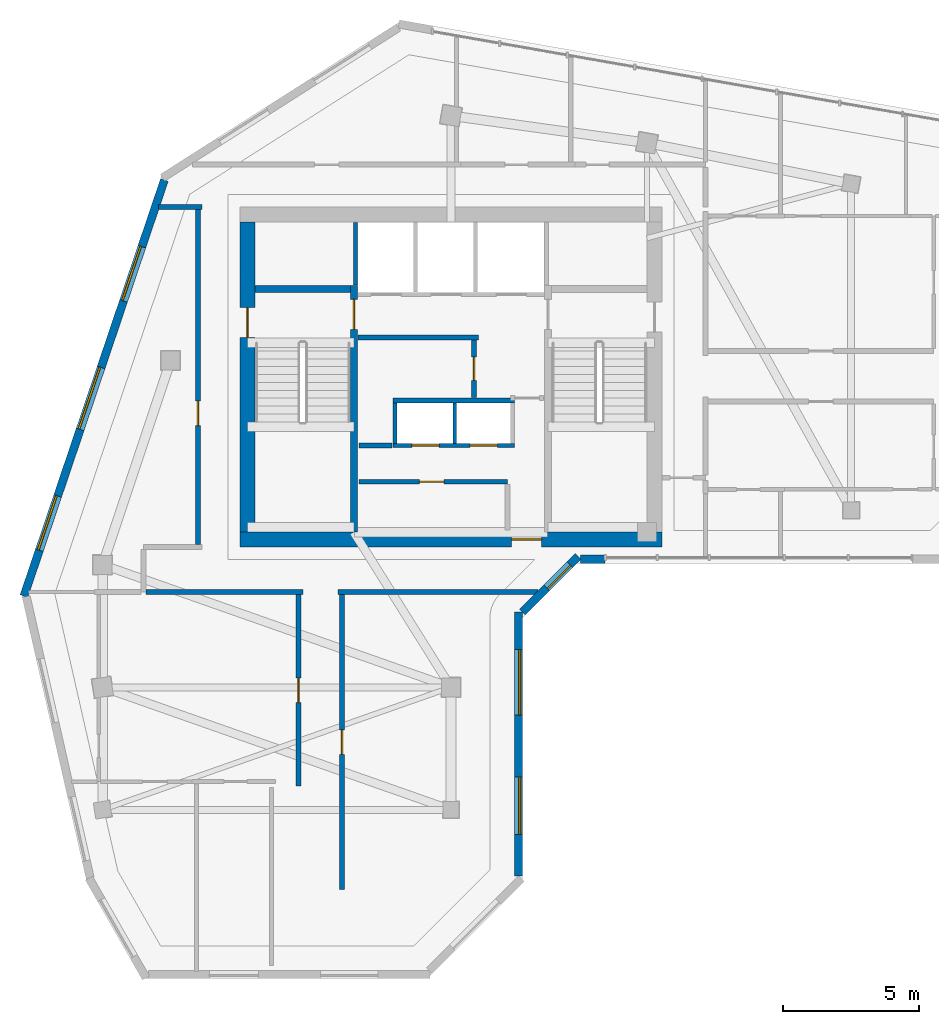
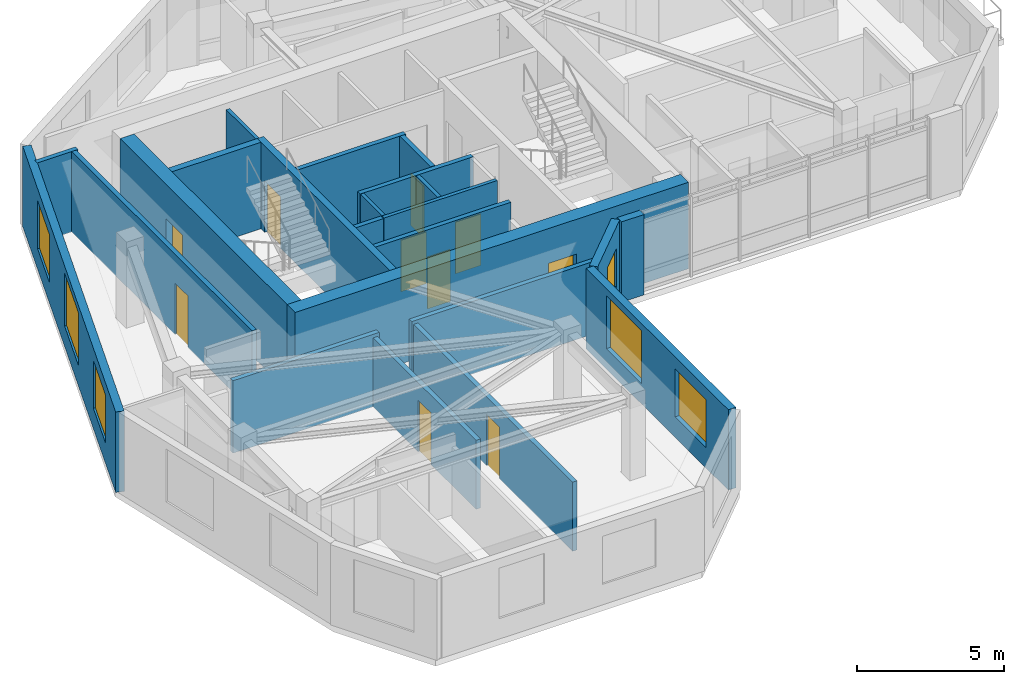
# One storey, part 4 of 9: 23 walls, 10 doors, 6 windows, 16 openings.
"""IFC4 building model written with IfcOpenShell, lengths in metres."""

from ifc_helpers import new_model, si_unit, direction, frame, frame_2d, origin, place, context, subcontext, project, spatial, rectangle, extrude, source, transform, mapped, material, layer, layer_set, type_object, element, fill, save


model = new_model("IFC4")

# Units and contexts
model_context = context("Model", 3, precision=1e-05, world=origin(), true_north=direction((0.0, 1.0)))
body_context = subcontext(model_context, "Body", "Model", "MODEL_VIEW")
ifc_project = project(units=[si_unit("LENGTHUNIT", "METRE"), si_unit("AREAUNIT", "SQUARE_METRE"), si_unit("VOLUMEUNIT", "CUBIC_METRE"), si_unit("PLANEANGLEUNIT", "RADIAN"), si_unit("MASSUNIT", "GRAM", prefix="KILO")], contexts=[model_context])

# Site, building, storey
site_placement = place(None, origin())
site = spatial("IfcSite", under=ifc_project, at=site_placement, CompositionType="ELEMENT")
building_placement = place(site_placement, origin())
building = spatial("IfcBuilding", under=site, at=building_placement, Name="Calvemar Wedge Station Tower", CompositionType="ELEMENT")
storey_placement = place(building_placement, frame((0.0, 0.0, 263.699951171875)))
storey = spatial("IfcBuildingStorey", under=building, at=storey_placement, Name="L67", CompositionType="ELEMENT", Elevation=263.699951171875)

# Wall, opening, door
ifc_material_1 = material(Name="Concrete C50", Category="concrete")
ifc_layer_1 = layer(ifc_material_1, 0.260009765625)
ifc_layer_set_1 = layer_set([ifc_layer_1], Name="Concrete C50")
wall_type_1 = type_object("IfcWallType", Name="SW-CORE-260", PredefinedType="SHEAR", material=ifc_layer_set_1)
wall_1_placement = place(storey_placement, frame((20.22998046875, 34.199951171875, 0.0), z_axis=(0.0, 0.0, 1.0), x_axis=(0.0, 1.0, 0.0)))
wall_1 = element("IfcWall", 1, at=wall_1_placement, inside=storey, type_object=wall_type_1, Name="Storey L67 Core Shear Wall SPINE-W", PredefinedType="SHEAR", context=body_context, shape_type="SweptSolid", body=[
    extrude(rectangle(XDim=9.06005859375, YDim=0.260009765625, at=frame_2d((4.530029296875, 0.0))), origin(), (0.0, 0.0, 1.0), 3.60009765625),
])
shared_shape_1 = source(origin(), body_context, "Body", "SweptSolid", [
    extrude(rectangle(XDim=1.10009765625, YDim=2.14990234375, at=frame_2d((0.550048828125, 1.074951171875))), frame((0.0, 0.14013671875, 0.0), z_axis=(0.0, -1.0, 0.0), x_axis=(1.0, 0.0, 0.0)), (0.0, 0.0, 1.0), 0.280029296875),
])
opening_1_placement = place(wall_1_placement, frame((7.449951171875, 0.0, 0.0)))
opening_1 = element("IfcOpeningElement", 2, at=opening_1_placement, cuts=wall_1, Name="Opening FD-90", PredefinedType="OPENING", context=body_context, shape_type="MappedRepresentation", body=[
    mapped(shared_shape_1, transform((0.0, 0.0, 0.0), scale=1.0)),
])
ifc_material_2 = material(Name="Galvanized fire-rated steel door leaf P-90", Category="steel")
door_type_1 = type_object("IfcDoorType", Name="DR-FD90-1100", OperationType="NOTDEFINED", PredefinedType="DOOR", material=ifc_material_2)
shared_shape_2 = source(origin(), body_context, "Body", "SweptSolid", [
    extrude(rectangle(XDim=1.10009765625, YDim=2.14990234375, at=frame_2d((0.550048828125, 1.074951171875))), frame((0.0, 0.02490234375, 0.0), z_axis=(0.0, -1.0, 0.0), x_axis=(1.0, 0.0, 0.0)), (0.0, 0.0, 1.0), 0.050048828125),
])
door_1_placement = place(opening_1_placement, origin())
door_1 = element("IfcDoor", 3, at=door_1_placement, inside=storey, type_object=door_type_1, Name="L67 FF Lobby to Stair ST-C1 Door", OperationType="SINGLE_SWING_RIGHT", OverallHeight=2.14990234375, OverallWidth=1.10009765625, PredefinedType="DOOR", context=body_context, shape_type="MappedRepresentation", body=[
    mapped(shared_shape_2, transform((0.0, 0.0, 0.0), scale=1.0)),
])
fill(opening_1, door_1)

# Wall
wall_2_placement = place(storey_placement, frame((16.60009765625, 43.1298828125, 0.0), z_axis=(0.0, 0.0, 1.0), x_axis=(1.0, 0.0, 0.0)))
element("IfcWall", 4, at=wall_2_placement, inside=storey, type_object=wall_type_1, Name="Storey L67 Core Shear Wall STC1-N", PredefinedType="SHEAR", context=body_context, shape_type="SweptSolid", body=[
    extrude(rectangle(XDim=3.5, YDim=0.260009765625, at=frame_2d((1.75, 0.0))), origin(), (0.0, 0.0, 1.0), 3.60009765625),
])

# Wall, opening, door
ifc_material_3 = material(Name="Concrete C60", Category="concrete")
ifc_layer_2 = layer(ifc_material_3, 0.550048828125)
ifc_layer_set_2 = layer_set([ifc_layer_2], Name="Concrete C60")
wall_type_2 = type_object("IfcWallType", Name="SW-CORE-550", PredefinedType="SHEAR", material=ifc_layer_set_2)
wall_3_placement = place(storey_placement, frame((16.050048828125, 33.925048828125, 0.0), z_axis=(0.0, 0.0, 1.0), x_axis=(1.0, 0.0, 0.0)))
wall_3 = element("IfcWall", 5, at=wall_3_placement, inside=storey, type_object=wall_type_2, Name="Storey L67 Core Shear Wall S", PredefinedType="SHEAR", context=body_context, shape_type="SweptSolid", body=[
    extrude(rectangle(XDim=15.5, YDim=0.550048828125, at=frame_2d((7.75, 0.0))), origin(), (0.0, 0.0, 1.0), 3.60009765625),
])
shared_shape_3 = source(origin(), body_context, "Body", "SweptSolid", [
    extrude(rectangle(XDim=1.10009765625, YDim=2.14990234375, at=frame_2d((0.550048828125, 1.074951171875))), frame((0.0, 0.28515625, 0.0), z_axis=(0.0, -1.0, 0.0), x_axis=(1.0, 0.0, 0.0)), (0.0, 0.0, 1.0), 0.570068359375),
])
opening_2_placement = place(wall_3_placement, frame((9.97998046875, 0.0, 0.0)))
opening_2 = element("IfcOpeningElement", 6, at=opening_2_placement, cuts=wall_3, Name="Opening FD-90", PredefinedType="OPENING", context=body_context, shape_type="MappedRepresentation", body=[
    mapped(shared_shape_3, transform((0.0, 0.0, 0.0), scale=1.0)),
])
door_2_placement = place(opening_2_placement, origin())
door_2 = element("IfcDoor", 7, at=door_2_placement, inside=storey, type_object=door_type_1, Name="L67 Passenger Lift Lobby Door", OperationType="SINGLE_SWING_RIGHT", OverallHeight=2.14990234375, OverallWidth=1.10009765625, PredefinedType="DOOR", context=body_context, shape_type="MappedRepresentation", body=[
    mapped(shared_shape_2, transform((0.0, 0.0, 0.0), scale=1.0)),
])
fill(opening_2, door_2)

wall_4_placement = place(storey_placement, frame((16.324951171875, 34.199951171875, 0.0), z_axis=(0.0, 0.0, 1.0), x_axis=(0.0, 1.0, 0.0)))
wall_4 = element("IfcWall", 8, at=wall_4_placement, inside=storey, type_object=wall_type_2, Name="Storey L67 Core Shear Wall W", PredefinedType="SHEAR", context=body_context, shape_type="SweptSolid", body=[
    extrude(rectangle(XDim=11.400146484375, YDim=0.550048828125, at=frame_2d((5.7001953125, 0.0))), origin(), (0.0, 0.0, 1.0), 3.60009765625),
])
opening_3_placement = place(wall_4_placement, frame((7.14990234375, 0.0, 0.0)))
opening_3 = element("IfcOpeningElement", 9, at=opening_3_placement, cuts=wall_4, Name="Opening FD-90", PredefinedType="OPENING", context=body_context, shape_type="MappedRepresentation", body=[
    mapped(shared_shape_3, transform((0.0, 0.0, 0.0), scale=1.0)),
])
door_3_placement = place(opening_3_placement, origin())
door_3 = element("IfcDoor", 10, at=door_3_placement, inside=storey, type_object=door_type_1, Name="L67 West Corridor to Exit Stair ST-C1 Door", OperationType="SINGLE_SWING_RIGHT", OverallHeight=2.14990234375, OverallWidth=1.10009765625, PredefinedType="DOOR", context=body_context, shape_type="MappedRepresentation", body=[
    mapped(shared_shape_2, transform((0.0, 0.0, 0.0), scale=1.0)),
])
fill(opening_3, door_3)

# Wall
ifc_material_4 = material(Name="Double-stud fire-rated corridor partition")
ifc_layer_3 = layer(ifc_material_4, 0.179931640625)
ifc_layer_set_3 = layer_set([ifc_layer_3], Name="Double-stud fire-rated corridor partition")
wall_type_3 = type_object("IfcWallType", Name="W-CORR-180", PredefinedType="PARTITIONING", material=ifc_layer_set_3)
wall_5_placement = place(storey_placement, frame((24.81005859375, 41.35009765625, 0.0), z_axis=(0.0, 0.0, 1.0), x_axis=(-1.0, 0.0, 0.0)))
element("IfcWall", 11, at=wall_5_placement, inside=storey, type_object=wall_type_3, Name="Storey L67 Interior Partition WL-L67-001", PredefinedType="PARTITIONING", context=body_context, shape_type="SweptSolid", body=[
    extrude(rectangle(XDim=4.43017578125, YDim=0.179931640625, at=frame_2d((2.215087890625, 0.0))), origin(), (0.0, 0.0, 1.0), 3.35009765625),
])

# Wall, opening, door
wall_6_placement = place(storey_placement, frame((24.64990234375, 41.256103515625, 0.0), z_axis=(0.0, 0.0, 1.0), x_axis=(0.0, -1.0, 0.0)))
wall_6 = element("IfcWall", 12, at=wall_6_placement, inside=storey, type_object=wall_type_3, Name="Storey L67 Interior Partition WL-L67-002", PredefinedType="PARTITIONING", context=body_context, shape_type="SweptSolid", body=[
    extrude(rectangle(XDim=2.106201171875, YDim=0.179931640625, at=frame_2d((1.05322265625, 0.0))), origin(), (0.0, 0.0, 1.0), 3.35009765625),
])
shared_shape_4 = source(origin(), body_context, "Body", "SweptSolid", [
    extrude(rectangle(XDim=0.85009765625, YDim=2.14990234375, at=frame_2d((0.425048828125, 1.074951171875))), frame((0.0, 0.10009765625, 0.0), z_axis=(0.0, -1.0, 0.0), x_axis=(1.0, 0.0, 0.0)), (0.0, 0.0, 1.0), 0.199951171875),
])
opening_4_placement = place(wall_6_placement, frame((0.6279296875, 0.0, 0.0)))
opening_4 = element("IfcOpeningElement", 13, at=opening_4_placement, cuts=wall_6, Name="Opening FD-60S", PredefinedType="OPENING", context=body_context, shape_type="MappedRepresentation", body=[
    mapped(shared_shape_4, transform((0.0, 0.0, 0.0), scale=1.0)),
])
ifc_material_5 = material(Name="Fire-rated steel and hardwood service door EI 60", Category="steel")
door_type_2 = type_object("IfcDoorType", Name="DR-CORE-FD60-850", OperationType="NOTDEFINED", PredefinedType="DOOR", material=ifc_material_5)
shared_shape_5 = source(origin(), body_context, "Body", "SweptSolid", [
    extrude(rectangle(XDim=0.85009765625, YDim=2.14990234375, at=frame_2d((0.425048828125, 1.074951171875))), frame((0.0, 0.02490234375, 0.0), z_axis=(0.0, -1.0, 0.0), x_axis=(1.0, 0.0, 0.0)), (0.0, 0.0, 1.0), 0.050048828125),
])
door_4_placement = place(opening_4_placement, origin())
door_4 = element("IfcDoor", 14, at=door_4_placement, inside=storey, type_object=door_type_2, Name="L67 Cleaner and Linen Store Door", OperationType="SINGLE_SWING_LEFT", OverallHeight=2.14990234375, OverallWidth=0.85009765625, PredefinedType="DOOR", context=body_context, shape_type="MappedRepresentation", body=[
    mapped(shared_shape_5, transform((0.0, 0.0, 0.0), scale=1.0)),
])
fill(opening_4, door_4)

# Wall
wall_7_placement = place(storey_placement, frame((21.6298828125, 37.3798828125, 0.0), z_axis=(0.0, 0.0, 1.0), x_axis=(-1.0, 0.0, 0.0)))
element("IfcWall", 15, at=wall_7_placement, inside=storey, type_object=wall_type_3, Name="Storey L67 Interior Partition WL-L67-003", PredefinedType="PARTITIONING", context=body_context, shape_type="SweptSolid", body=[
    extrude(rectangle(XDim=1.2099609375, YDim=0.179931640625, at=frame_2d((0.60498046875, 0.0))), origin(), (0.0, 0.0, 1.0), 3.35009765625),
])

# Wall, opening, door
wall_8_placement = place(storey_placement, frame((20.419921875, 36.050048828125, 0.0), z_axis=(0.0, 0.0, 1.0), x_axis=(1.0, 0.0, 0.0)))
wall_8 = element("IfcWall", 16, at=wall_8_placement, inside=storey, type_object=wall_type_3, Name="Storey L67 Interior Partition WL-L67-005", PredefinedType="PARTITIONING", context=body_context, shape_type="SweptSolid", body=[
    extrude(rectangle(XDim=5.4599609375, YDim=0.179931640625, at=frame_2d((2.72998046875, 0.0))), origin(), (0.0, 0.0, 1.0), 3.35009765625),
])
shared_shape_6 = source(origin(), body_context, "Body", "SweptSolid", [
    extrude(rectangle(XDim=0.89990234375, YDim=2.14990234375, at=frame_2d((0.449951171875, 1.074951171875))), frame((0.0, 0.10009765625, 0.0), z_axis=(0.0, -1.0, 0.0), x_axis=(1.0, 0.0, 0.0)), (0.0, 0.0, 1.0), 0.199951171875),
])
opening_5_placement = place(wall_8_placement, frame((2.219482421875, 0.0, 0.0)))
opening_5 = element("IfcOpeningElement", 17, at=opening_5_placement, cuts=wall_8, Name="Opening FD-60", PredefinedType="OPENING", context=body_context, shape_type="MappedRepresentation", body=[
    mapped(shared_shape_6, transform((0.0, 0.0, 0.0), scale=1.0)),
])
ifc_material_6 = material(Name="Fire-rated acoustic timber-core entrance door EI 60", Category="wood")
door_type_3 = type_object("IfcDoorType", Name="DR-FD60-900", OperationType="NOTDEFINED", PredefinedType="DOOR", material=ifc_material_6)
shared_shape_7 = source(origin(), body_context, "Body", "SweptSolid", [
    extrude(rectangle(XDim=0.89990234375, YDim=2.14990234375, at=frame_2d((0.449951171875, 1.074951171875))), frame((0.0, 0.02490234375, 0.0), z_axis=(0.0, -1.0, 0.0), x_axis=(1.0, 0.0, 0.0)), (0.0, 0.0, 1.0), 0.050048828125),
])
door_5_placement = place(opening_5_placement, origin())
door_5 = element("IfcDoor", 18, at=door_5_placement, inside=storey, type_object=door_type_3, Name="L67 Wine and Parcel Store Door", OperationType="SINGLE_SWING_LEFT", OverallHeight=2.14990234375, OverallWidth=0.89990234375, PredefinedType="DOOR", context=body_context, shape_type="MappedRepresentation", body=[
    mapped(shared_shape_7, transform((0.0, 0.0, 0.0), scale=1.0)),
])
fill(opening_5, door_5)

# Walls
wall_9_placement = place(storey_placement, frame((18.360107421875, 32.0, 0.0), z_axis=(0.0, 0.0, 1.0), x_axis=(-1.0, 0.0, 0.0)))
element("IfcWall", 19, at=wall_9_placement, inside=storey, type_object=wall_type_3, Name="Storey L67 Interior Partition WL-L67-010", PredefinedType="PARTITIONING", context=body_context, shape_type="SweptSolid", body=[
    extrude(rectangle(XDim=5.76611328125, YDim=0.179931640625, at=frame_2d((2.883056640625, 0.0))), origin(), (0.0, 0.0, 1.0), 3.01904296875),
])
wall_10_placement = place(storey_placement, frame((27.001220703125, 32.0, 0.0), z_axis=(0.0, 0.0, 1.0), x_axis=(-1.0, 0.0, 0.0)))
element("IfcWall", 20, at=wall_10_placement, inside=storey, type_object=wall_type_3, Name="Storey L67 Interior Partition WL-L67-011", PredefinedType="PARTITIONING", context=body_context, shape_type="SweptSolid", body=[
    extrude(rectangle(XDim=7.361328125, YDim=0.179931640625, at=frame_2d((3.6806640625, 0.0))), origin(), (0.0, 0.0, 1.0), 3.01904296875),
])

# Wall, opening, door
wall_11_placement = place(storey_placement, frame((14.5, 33.743896484375, 0.0), z_axis=(0.0, 0.0, 1.0), x_axis=(0.0, 1.0, 0.0)))
wall_11 = element("IfcWall", 21, at=wall_11_placement, inside=storey, type_object=wall_type_3, Name="Storey L67 Interior Partition WL-L67-012", PredefinedType="PARTITIONING", context=body_context, shape_type="SweptSolid", body=[
    extrude(rectangle(XDim=12.406005859375, YDim=0.179931640625, at=frame_2d((6.203125, 0.0))), origin(), (0.0, 0.0, 1.0), 3.35009765625),
])
opening_6_placement = place(wall_11_placement, frame((4.36962890625, 0.0, 0.0)))
opening_6 = element("IfcOpeningElement", 22, at=opening_6_placement, cuts=wall_11, Name="Opening D-01", PredefinedType="OPENING", context=body_context, shape_type="MappedRepresentation", body=[
    mapped(shared_shape_6, transform((0.0, 0.0, 0.0), scale=1.0)),
])
ifc_material_7 = material(Name="Architectural hardwood acoustic swing door", Category="wood")
door_type_4 = type_object("IfcDoorType", Name="DR-INT-900", OperationType="NOTDEFINED", PredefinedType="DOOR", material=ifc_material_7)
shared_shape_8 = source(origin(), body_context, "Body", "SweptSolid", [
    extrude(rectangle(XDim=0.89990234375, YDim=2.14990234375, at=frame_2d((0.449951171875, 1.074951171875))), frame((0.0, 0.02490234375, 0.0), z_axis=(0.0, -1.0, 0.0), x_axis=(1.0, 0.0, 0.0)), (0.0, 0.0, 1.0), 0.050048828125),
])
door_6_placement = place(opening_6_placement, origin())
door_6 = element("IfcDoor", 23, at=door_6_placement, inside=storey, type_object=door_type_4, Name="L67 Resident Reading Lounge Door", OperationType="SINGLE_SWING_RIGHT", OverallHeight=2.14990234375, OverallWidth=0.89990234375, PredefinedType="DOOR", context=body_context, shape_type="MappedRepresentation", body=[
    mapped(shared_shape_8, transform((0.0, 0.0, 0.0), scale=1.0)),
])
fill(opening_6, door_6)

# Wall
wall_12_placement = place(storey_placement, frame((14.659912109375, 46.14990234375, 0.0), z_axis=(0.0, 0.0, 1.0), x_axis=(-1.0, 0.0, 0.0)))
element("IfcWall", 24, at=wall_12_placement, inside=storey, type_object=wall_type_3, Name="Storey L67 Interior Partition WL-L67-013", PredefinedType="PARTITIONING", context=body_context, shape_type="SweptSolid", body=[
    extrude(rectangle(XDim=1.602294921875, YDim=0.179931640625, at=frame_2d((0.80126953125, 0.0))), origin(), (0.0, 0.0, 1.0), 3.35009765625),
])

# Wall, opening, door
wall_13_placement = place(storey_placement, frame((18.199951171875, 24.8720703125, 0.0), z_axis=(0.0, 0.0, 1.0), x_axis=(0.0, 1.0, 0.0)))
wall_13 = element("IfcWall", 25, at=wall_13_placement, inside=storey, type_object=wall_type_3, Name="Storey L67 Interior Partition WL-L67-042", PredefinedType="PARTITIONING", context=body_context, shape_type="SweptSolid", body=[
    extrude(rectangle(XDim=7.033935546875, YDim=0.179931640625, at=frame_2d((3.51708984375, 0.0))), origin(), (0.0, 0.0, 1.0), 2.879150390625),
])
opening_7_placement = place(wall_13_placement, frame((3.06689453125, 0.0, 0.0)))
opening_7 = element("IfcOpeningElement", 26, at=opening_7_placement, cuts=wall_13, Name="Opening FD-60", PredefinedType="OPENING", context=body_context, shape_type="MappedRepresentation", body=[
    mapped(shared_shape_6, transform((0.0, 0.0, 0.0), scale=1.0)),
])
door_7_placement = place(opening_7_placement, origin())
door_7 = element("IfcDoor", 27, at=door_7_placement, inside=storey, type_object=door_type_3, Name="L67 Living Dining Door", OperationType="SINGLE_SWING_RIGHT", OverallHeight=2.14990234375, OverallWidth=0.89990234375, PredefinedType="DOOR", context=body_context, shape_type="MappedRepresentation", body=[
    mapped(shared_shape_7, transform((0.0, 0.0, 0.0), scale=1.0)),
])
fill(opening_7, door_7)

wall_14_placement = place(storey_placement, frame((19.800048828125, 31.906005859375, 0.0), z_axis=(0.0, 0.0, 1.0), x_axis=(0.0, -1.0, 0.0)))
wall_14 = element("IfcWall", 28, at=wall_14_placement, inside=storey, type_object=wall_type_3, Name="Storey L67 Interior Partition WL-L67-043", PredefinedType="PARTITIONING", context=body_context, shape_type="SweptSolid", body=[
    extrude(rectangle(XDim=10.841064453125, YDim=0.179931640625, at=frame_2d((5.42041015625, 0.0))), origin(), (0.0, 0.0, 1.0), 2.879150390625),
])
opening_8_placement = place(wall_14_placement, frame((4.970458984375, 0.0, 0.0)))
opening_8 = element("IfcOpeningElement", 29, at=opening_8_placement, cuts=wall_14, Name="Opening D-01", PredefinedType="OPENING", context=body_context, shape_type="MappedRepresentation", body=[
    mapped(shared_shape_6, transform((0.0, 0.0, 0.0), scale=1.0)),
])
door_8_placement = place(opening_8_placement, origin())
door_8 = element("IfcDoor", 30, at=door_8_placement, inside=storey, type_object=door_type_4, Name="L67 Sky Wellness Fitness Studio Door", OperationType="SINGLE_SWING_RIGHT", OverallHeight=2.14990234375, OverallWidth=0.89990234375, PredefinedType="DOOR", context=body_context, shape_type="MappedRepresentation", body=[
    mapped(shared_shape_8, transform((0.0, 0.0, 0.0), scale=1.0)),
])
fill(opening_8, door_8)

# Wall, openings, windows
ifc_material_8 = material(Name="Precast concrete C45", Category="concrete")
ifc_layer_4 = layer(ifc_material_8, 0.300048828125)
ifc_layer_set_4 = layer_set([ifc_layer_4], Name="Precast concrete C45")
wall_type_4 = type_object("IfcWallType", Name="W-EXT-GFRC-300", PredefinedType="SOLIDWALL", material=ifc_layer_set_4)
wall_15_placement = place(storey_placement, frame((26.281982421875, 21.557373046875, 0.0), z_axis=(0.0, 0.0, 1.0), x_axis=(0.0, 1.0, 0.0)))
wall_15 = element("IfcWall", 31, at=wall_15_placement, inside=storey, type_object=wall_type_4, Name="Storey L67 Bronze GFRC Exterior Wall 4", PredefinedType="SOLIDWALL", context=body_context, shape_type="SweptSolid", body=[
    extrude(rectangle(XDim=9.710693359375, YDim=0.300048828125, at=frame_2d((4.85546875, 0.0))), origin(), (0.0, 0.0, 1.0), 3.35009765625),
])
shared_shape_9 = source(origin(), body_context, "Body", "SweptSolid", [
    extrude(rectangle(XDim=2.10009765625, YDim=2.0, at=frame_2d((1.050048828125, 1.0))), frame((0.0, 0.16015625, 0.0), z_axis=(0.0, -1.0, 0.0), x_axis=(1.0, 0.0, 0.0)), (0.0, 0.0, 1.0), 0.320068359375),
])
opening_9_placement = place(wall_15_placement, frame((1.5380859375, 0.0, 0.85009765625)))
opening_9 = element("IfcOpeningElement", 32, at=opening_9_placement, cuts=wall_15, Name="Opening W4", PredefinedType="OPENING", context=body_context, shape_type="MappedRepresentation", body=[
    mapped(shared_shape_9, transform((0.0, 0.0, 0.0), scale=1.0)),
])
shared_shape_10 = source(origin(), body_context, "Body", "SweptSolid", [
    extrude(rectangle(XDim=2.39990234375, YDim=2.199951171875, at=frame_2d((1.199951171875, 1.10009765625))), frame((0.0, 0.16015625, 0.0), z_axis=(0.0, -1.0, 0.0), x_axis=(1.0, 0.0, 0.0)), (0.0, 0.0, 1.0), 0.320068359375),
])
opening_10_placement = place(wall_15_placement, frame((5.923095703125, 0.0, 0.85009765625)))
opening_10 = element("IfcOpeningElement", 33, at=opening_10_placement, cuts=wall_15, Name="Opening W1", PredefinedType="OPENING", context=body_context, shape_type="MappedRepresentation", body=[
    mapped(shared_shape_10, transform((0.0, 0.0, 0.0), scale=1.0)),
])
ifc_material_9 = material(Name="Low-E laminated insulated glass", Category="glass")
window_type_1 = type_object("IfcWindowType", Name="WIN-EXT-4", PartitioningType="SINGLE_PANEL", PredefinedType="WINDOW", material=ifc_material_9)
shared_shape_11 = source(origin(), body_context, "Body", "SweptSolid", [
    extrude(rectangle(XDim=2.10009765625, YDim=2.0, at=frame_2d((1.050048828125, 1.0))), frame((0.0, -0.014892578125, 0.0), z_axis=(0.0, -1.0, 0.0), x_axis=(1.0, 0.0, 0.0)), (0.0, 0.0, 1.0), 0.06005859375),
])
window_1_placement = place(opening_9_placement, origin())
window_1 = element("IfcWindow", 34, at=window_1_placement, inside=storey, type_object=window_type_1, Name="Storey L67 Recessed Window 4.1", OverallHeight=2.0, OverallWidth=2.10009765625, PartitioningType="SINGLE_PANEL", PredefinedType="WINDOW", context=body_context, shape_type="MappedRepresentation", body=[
    mapped(shared_shape_11, transform((0.0, 0.0, 0.0), scale=1.0)),
])
fill(opening_9, window_1)
window_type_2 = type_object("IfcWindowType", Name="WIN-EXT-1", PartitioningType="SINGLE_PANEL", PredefinedType="WINDOW", material=ifc_material_9)
shared_shape_12 = source(origin(), body_context, "Body", "SweptSolid", [
    extrude(rectangle(XDim=2.39990234375, YDim=2.199951171875, at=frame_2d((1.199951171875, 1.10009765625))), frame((0.0, -0.014892578125, 0.0), z_axis=(0.0, -1.0, 0.0), x_axis=(1.0, 0.0, 0.0)), (0.0, 0.0, 1.0), 0.06005859375),
])
window_2_placement = place(opening_10_placement, origin())
window_2 = element("IfcWindow", 35, at=window_2_placement, inside=storey, type_object=window_type_2, Name="Storey L67 Recessed Window 4.2", OverallHeight=2.199951171875, OverallWidth=2.39990234375, PartitioningType="SINGLE_PANEL", PredefinedType="WINDOW", context=body_context, shape_type="MappedRepresentation", body=[
    mapped(shared_shape_12, transform((0.0, 0.0, 0.0), scale=1.0)),
])
fill(opening_10, window_2)

# Wall, opening, window
wall_16_placement = place(storey_placement, frame((26.419921875, 31.256103515625, 0.0), z_axis=(0.0, 0.0, 1.0), x_axis=(0.707106781187, 0.707106781187, 0.0)))
wall_16 = element("IfcWall", 36, at=wall_16_placement, inside=storey, type_object=wall_type_4, Name="Storey L67 Bronze GFRC Exterior Wall 5", PredefinedType="SOLIDWALL", context=body_context, shape_type="SweptSolid", body=[
    extrude(rectangle(XDim=2.907470703125, YDim=0.300048828125, at=frame_2d((1.45361328125, 0.0))), origin(), (0.0, 0.0, 1.0), 3.35009765625),
])
shared_shape_13 = source(origin(), body_context, "Body", "SweptSolid", [
    extrude(rectangle(XDim=1.199951171875, YDim=1.60009765625, at=frame_2d((0.60009765625, 0.800048828125))), frame((0.0, 0.16015625, 0.0), z_axis=(0.0, -1.0, 0.0), x_axis=(1.0, 0.0, 0.0)), (0.0, 0.0, 1.0), 0.320068359375),
])
opening_11_placement = place(wall_16_placement, frame((1.27197265625, 0.0, 0.85009765625)))
opening_11 = element("IfcOpeningElement", 37, at=opening_11_placement, cuts=wall_16, Name="Opening W5", PredefinedType="OPENING", context=body_context, shape_type="MappedRepresentation", body=[
    mapped(shared_shape_13, transform((0.0, 0.0, 0.0), scale=1.0)),
])
window_type_3 = type_object("IfcWindowType", Name="WIN-EXT-5", PartitioningType="SINGLE_PANEL", PredefinedType="WINDOW", material=ifc_material_9)
shared_shape_14 = source(origin(), body_context, "Body", "SweptSolid", [
    extrude(rectangle(XDim=1.199951171875, YDim=1.60009765625, at=frame_2d((0.60009765625, 0.800048828125))), frame((0.0, -0.014892578125, 0.0), z_axis=(0.0, -1.0, 0.0), x_axis=(1.0, 0.0, 0.0)), (0.0, 0.0, 1.0), 0.06005859375),
])
window_3_placement = place(opening_11_placement, origin())
window_3 = element("IfcWindow", 38, at=window_3_placement, inside=storey, type_object=window_type_3, Name="Storey L67 Recessed Window 5.1", OverallHeight=1.60009765625, OverallWidth=1.199951171875, PartitioningType="SINGLE_PANEL", PredefinedType="WINDOW", context=body_context, shape_type="MappedRepresentation", body=[
    mapped(shared_shape_14, transform((0.0, 0.0, 0.0), scale=1.0)),
])
fill(opening_11, window_3)

# Wall
wall_17_placement = place(storey_placement, frame((28.56494140625, 33.2060546875, 0.0), z_axis=(0.0, 0.0, 1.0), x_axis=(1.0, 0.0, 0.0)))
element("IfcWall", 39, at=wall_17_placement, inside=storey, type_object=wall_type_4, Name="Storey L67 Bronze GFRC Corner Pier 6A", PredefinedType="SOLIDWALL", context=body_context, shape_type="SweptSolid", body=[
    extrude(rectangle(XDim=0.885009765625, YDim=0.300048828125, at=frame_2d((0.4423828125, 0.0))), origin(), (0.0, 0.0, 1.0), 3.35009765625),
])

# Wall, openings, windows
wall_18_placement = place(storey_placement, frame((13.2685546875, 47.1337890625, 0.0), z_axis=(0.0, 0.0, 1.0), x_axis=(-0.3199211297, -0.947444178182, 0.0)))
wall_18 = element("IfcWall", 40, at=wall_18_placement, inside=storey, type_object=wall_type_4, Name="Storey L67 Bronze GFRC Exterior Wall 12", PredefinedType="SOLIDWALL", context=body_context, shape_type="SweptSolid", body=[
    extrude(rectangle(XDim=16.1318359375, YDim=0.300048828125, at=frame_2d((8.06591796875, 0.0))), origin(), (0.0, 0.0, 1.0), 3.35009765625),
])
opening_12_placement = place(wall_18_placement, frame((2.5849609375, 0.0, 0.85009765625)))
opening_12 = element("IfcOpeningElement", 41, at=opening_12_placement, cuts=wall_18, Name="Opening W4", PredefinedType="OPENING", context=body_context, shape_type="MappedRepresentation", body=[
    mapped(shared_shape_9, transform((0.0, 0.0, 0.0), scale=1.0)),
])
opening_13_placement = place(wall_18_placement, frame((7.26708984375, 0.0, 0.85009765625)))
opening_13 = element("IfcOpeningElement", 42, at=opening_13_placement, cuts=wall_18, Name="Opening W1", PredefinedType="OPENING", context=body_context, shape_type="MappedRepresentation", body=[
    mapped(shared_shape_10, transform((0.0, 0.0, 0.0), scale=1.0)),
])
opening_14_placement = place(wall_18_placement, frame((12.2490234375, 0.0, 0.85009765625)))
opening_14 = element("IfcOpeningElement", 43, at=opening_14_placement, cuts=wall_18, Name="Opening W4", PredefinedType="OPENING", context=body_context, shape_type="MappedRepresentation", body=[
    mapped(shared_shape_9, transform((0.0, 0.0, 0.0), scale=1.0)),
])
window_4_placement = place(opening_12_placement, origin())
window_4 = element("IfcWindow", 44, at=window_4_placement, inside=storey, type_object=window_type_1, Name="Storey L67 Recessed Window 12.1", OverallHeight=2.0, OverallWidth=2.10009765625, PartitioningType="SINGLE_PANEL", PredefinedType="WINDOW", context=body_context, shape_type="MappedRepresentation", body=[
    mapped(shared_shape_11, transform((0.0, 0.0, 0.0), scale=1.0)),
])
fill(opening_12, window_4)
window_5_placement = place(opening_14_placement, origin())
window_5 = element("IfcWindow", 45, at=window_5_placement, inside=storey, type_object=window_type_1, Name="Storey L67 Recessed Window 12.3", OverallHeight=2.0, OverallWidth=2.10009765625, PartitioningType="SINGLE_PANEL", PredefinedType="WINDOW", context=body_context, shape_type="MappedRepresentation", body=[
    mapped(shared_shape_11, transform((0.0, 0.0, 0.0), scale=1.0)),
])
fill(opening_14, window_5)
window_6_placement = place(opening_13_placement, origin())
window_6 = element("IfcWindow", 46, at=window_6_placement, inside=storey, type_object=window_type_2, Name="Storey L67 Recessed Window 12.2", OverallHeight=2.199951171875, OverallWidth=2.39990234375, PartitioningType="SINGLE_PANEL", PredefinedType="WINDOW", context=body_context, shape_type="MappedRepresentation", body=[
    mapped(shared_shape_12, transform((0.0, 0.0, 0.0), scale=1.0)),
])
fill(opening_13, window_6)

# Wall
ifc_material_10 = material(Name="Reinforced concrete blockwork lift shaft wall", Category="masonry")
ifc_layer_5 = layer(ifc_material_10, 0.139892578125)
ifc_layer_set_5 = layer_set([ifc_layer_5], Name="Reinforced concrete blockwork lift shaft wall")
wall_type_5 = type_object("IfcWallType", Name="W-LIFT-160", PredefinedType="SOLIDWALL", material=ifc_layer_set_5)
wall_19_placement = place(storey_placement, frame((20.2900390625, 43.280029296875, 0.0), z_axis=(0.0, 0.0, 1.0), x_axis=(0.0, 1.0, 0.0)))
element("IfcWall", 47, at=wall_19_placement, inside=storey, type_object=wall_type_5, Name="Storey L67 Firefighting Lift Shaft Enclosure Wall W", PredefinedType="SOLIDWALL", context=body_context, shape_type="SweptSolid", body=[
    extrude(rectangle(XDim=2.300048828125, YDim=0.139892578125, at=frame_2d((1.14990234375, 0.0))), origin(), (0.0, 0.0, 1.0), 3.35009765625),
])

# Wall, openings, doors
wall_20_placement = place(storey_placement, frame((21.669921875, 37.3798828125, 0.0), z_axis=(0.0, 0.0, 1.0), x_axis=(1.0, 0.0, 0.0)))
wall_20 = element("IfcWall", 48, at=wall_20_placement, inside=storey, type_object=wall_type_5, Name="Storey L67 Upper Passenger Lift Bank Front Wall", PredefinedType="SOLIDWALL", context=body_context, shape_type="SweptSolid", body=[
    extrude(rectangle(XDim=4.4599609375, YDim=0.139892578125, at=frame_2d((2.22998046875, 0.0))), origin(), (0.0, 0.0, 1.0), 3.35009765625),
])
shared_shape_15 = source(origin(), body_context, "Body", "SweptSolid", [
    extrude(rectangle(XDim=1.0, YDim=2.14990234375, at=frame_2d((0.5, 1.074951171875))), frame((0.0, 0.080078125, 0.0), z_axis=(0.0, -1.0, 0.0), x_axis=(1.0, 0.0, 0.0)), (0.0, 0.0, 1.0), 0.159912109375),
])
opening_15_placement = place(wall_20_placement, frame((0.695068359375, 0.0, 0.0)))
opening_15 = element("IfcOpeningElement", 49, at=opening_15_placement, cuts=wall_20, Name="Opening LD-PAX", PredefinedType="OPENING", context=body_context, shape_type="MappedRepresentation", body=[
    mapped(shared_shape_15, transform((0.0, 0.0, 0.0), scale=1.0)),
])
opening_16_placement = place(wall_20_placement, frame((2.8349609375, 0.0, 0.0)))
opening_16 = element("IfcOpeningElement", 50, at=opening_16_placement, cuts=wall_20, Name="Opening LD-PAX", PredefinedType="OPENING", context=body_context, shape_type="MappedRepresentation", body=[
    mapped(shared_shape_15, transform((0.0, 0.0, 0.0), scale=1.0)),
])
ifc_material_11 = material(Name="Anodised bronze passenger lift sliding landing door")
door_type_5 = type_object("IfcDoorType", Name="DR-LD-PAX-1000", OperationType="SLIDING_TO_LEFT", PredefinedType="DOOR", material=ifc_material_11)
shared_shape_16 = source(origin(), body_context, "Body", "SweptSolid", [
    extrude(rectangle(XDim=1.0, YDim=2.14990234375, at=frame_2d((0.5, 1.074951171875))), frame((0.0, 0.02490234375, 0.0), z_axis=(0.0, -1.0, 0.0), x_axis=(1.0, 0.0, 0.0)), (0.0, 0.0, 1.0), 0.050048828125),
])
door_9_placement = place(opening_15_placement, origin())
door_9 = element("IfcDoor", 51, at=door_9_placement, inside=storey, type_object=door_type_5, Name="L67 Lift RH-02 Sliding Landing Door", OperationType="SLIDING_TO_RIGHT", OverallHeight=2.14990234375, OverallWidth=1.0, PredefinedType="DOOR", context=body_context, shape_type="MappedRepresentation", body=[
    mapped(shared_shape_16, transform((0.0, 0.0, 0.0), scale=1.0)),
])
fill(opening_15, door_9)
door_10_placement = place(opening_16_placement, origin())
door_10 = element("IfcDoor", 52, at=door_10_placement, inside=storey, type_object=door_type_5, Name="L67 Lift RH-03 Sliding Landing Door", OperationType="SLIDING_TO_LEFT", OverallHeight=2.14990234375, OverallWidth=1.0, PredefinedType="DOOR", context=body_context, shape_type="MappedRepresentation", body=[
    mapped(shared_shape_16, transform((0.0, 0.0, 0.0), scale=1.0)),
])
fill(opening_16, door_10)

# Walls
for number, where, z_axis, x_axis, name in (
    (53, (21.739990234375, 37.4599609375, 0.0), (0.0, 0.0, 1.0), (0.0, 1.0, 0.0), "Storey L67 Upper Passenger Lift Shaft Wall W"),
    (54, (23.93505859375, 37.4599609375, 0.0), (0.0, 0.0, 1.0), (0.0, 1.0, 0.0), "Storey L67 Upper Passenger Lift Shaft Wall D1"),
):
    element("IfcWall", number, at=place(storey_placement, frame(where, z_axis=z_axis, x_axis=x_axis)), inside=storey, type_object=wall_type_5, Name=name, PredefinedType="SOLIDWALL", context=body_context, shape_type="SweptSolid", body=[
        extrude(rectangle(XDim=1.47998046875, YDim=0.139892578125, at=frame_2d((0.739990234375, 0.0))), origin(), (0.0, 0.0, 1.0), 3.35009765625),
    ])
ifc_material_12 = material(Name="Concrete blockwork and fireboard shaft wall", Category="masonry")
ifc_layer_6 = layer(ifc_material_12, 0.199951171875)
ifc_layer_set_6 = layer_set([ifc_layer_6], Name="Concrete blockwork and fireboard shaft wall")
wall_type_6 = type_object("IfcWallType", Name="W-SHAFT-200", PredefinedType="SOLIDWALL", material=ifc_layer_set_6)
wall_21_placement = place(storey_placement, frame((21.669921875, 39.0400390625, 0.0), z_axis=(0.0, 0.0, 1.0), x_axis=(1.0, 0.0, 0.0)))
element("IfcWall", 55, at=wall_21_placement, inside=storey, type_object=wall_type_6, Name="Storey L67 Upper Passenger Lift Bank Rear Shaft Wall", PredefinedType="SOLIDWALL", context=body_context, shape_type="SweptSolid", body=[
    extrude(rectangle(XDim=4.4599609375, YDim=0.179931640625, at=frame_2d((2.22998046875, 0.0))), origin(), (0.0, 0.0, 1.0), 3.35009765625),
])

save(model, "model.ifc")
